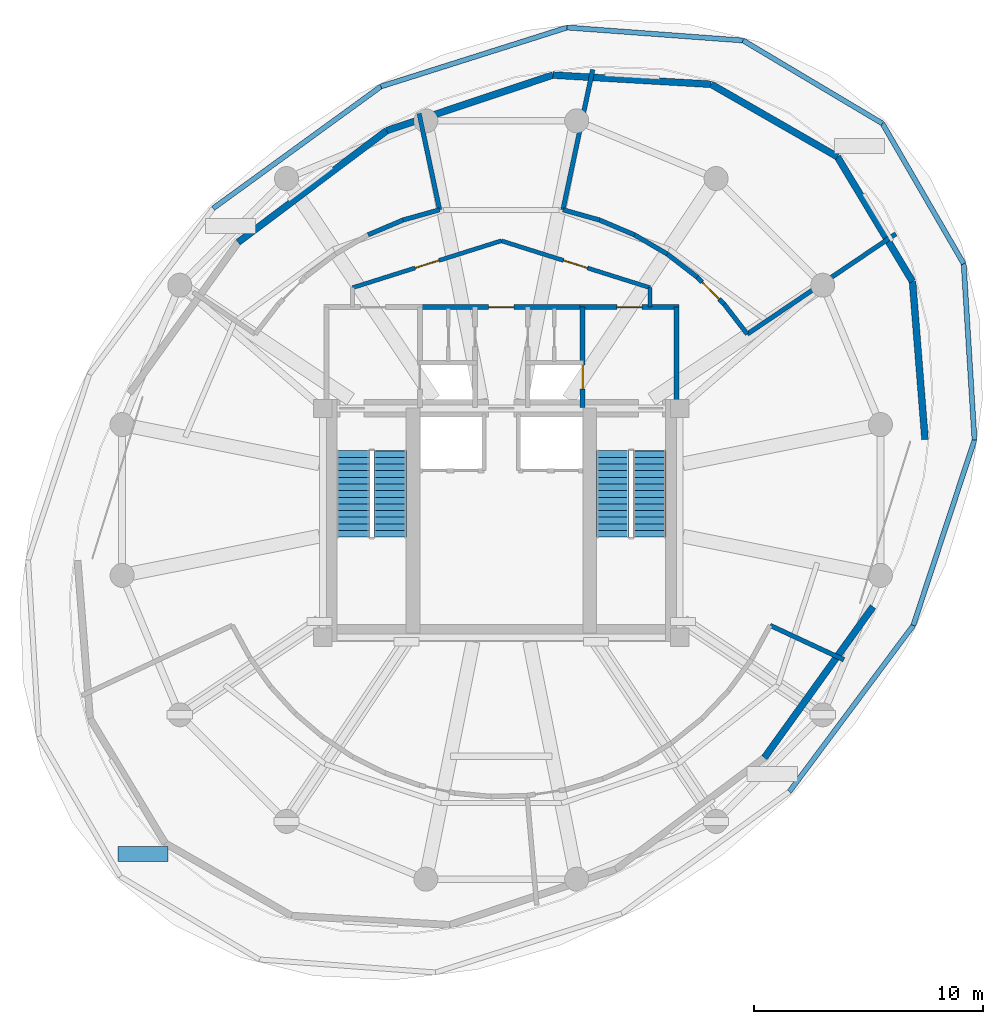
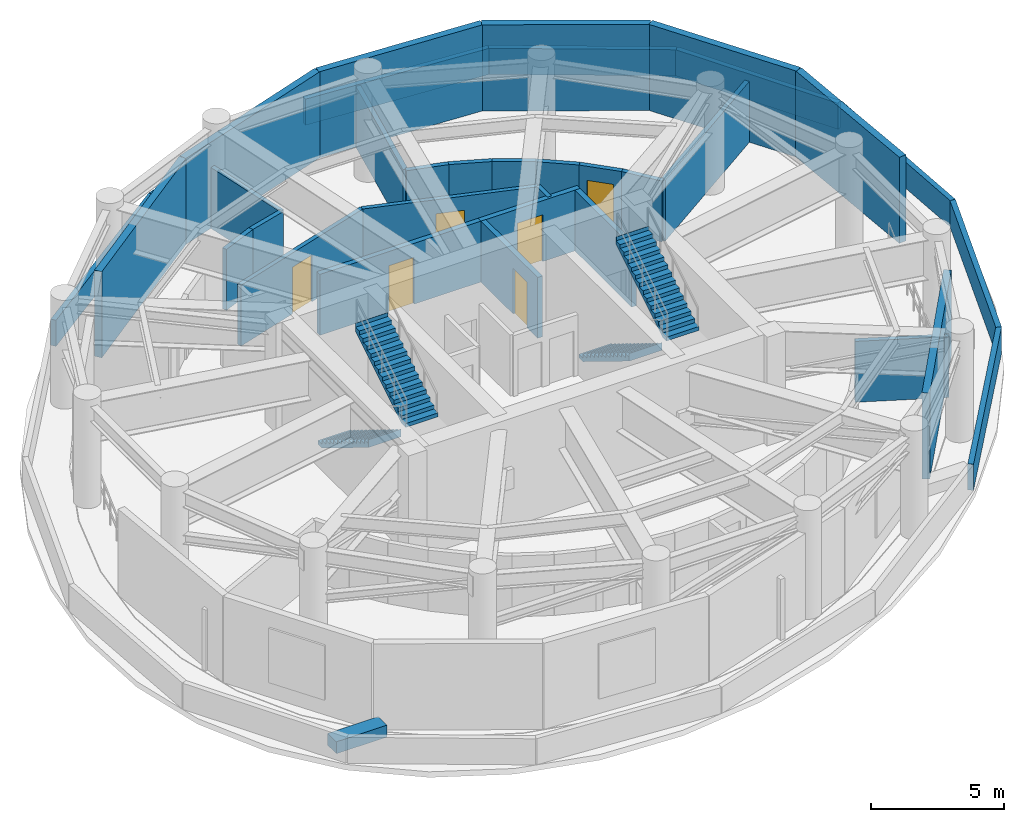
# One storey, part 4 of 6: 34 walls, 6 doors, 4 stair flights, 1 discrete accessory, 6 openings, 2 elements without a shape of their own.
"""IFC4 building model written with IfcOpenShell, lengths in metres."""

from ifc_helpers import new_model, si_unit, direction, frame, frame_2d, origin, origin_2d, place, context, subcontext, project, spatial, polyline, rectangle, outline, extrude, material, layer, layer_set, type_object, element, fill, aggregate, save


model = new_model("IFC4")

# Units and contexts
model_context = context("Model", 3, precision=1e-05, world=origin(), true_north=direction((0.0, 1.0)))
body_context = subcontext(model_context, "Body", "Model", "MODEL_VIEW")
ifc_project = project(units=[si_unit("LENGTHUNIT", "METRE"), si_unit("AREAUNIT", "SQUARE_METRE"), si_unit("VOLUMEUNIT", "CUBIC_METRE"), si_unit("PLANEANGLEUNIT", "RADIAN"), si_unit("MASSUNIT", "GRAM", prefix="KILO"), si_unit("THERMODYNAMICTEMPERATUREUNIT", "KELVIN"), si_unit("POWERUNIT", "WATT")], contexts=[model_context])

# Site, building, storey
site_placement = place(None, origin())
site = spatial("IfcSite", under=ifc_project, at=site_placement, CompositionType="ELEMENT")
building_placement = place(site_placement, origin())
building = spatial("IfcBuilding", under=site, at=building_placement, Name="Ocrelia Relay Tower", CompositionType="ELEMENT")
storey_placement = place(building_placement, frame((0.0, 0.0, 220.39990234375)))
storey = spatial("IfcBuildingStorey", under=building, at=storey_placement, Name="L54", CompositionType="ELEMENT", Elevation=220.39990234375)

# Wall
ifc_material_1 = material(Name="Gypsum Fireboard Partition EI60", Category="gypsum")
ifc_layer_1 = layer(ifc_material_1, 0.179931640625, Name="Gypsum Fireboard Partition EI60")
ifc_layer_set_1 = layer_set([ifc_layer_1], Name="Gypsum Fireboard Partition EI60")
wall_type_1 = type_object("IfcWallType", Name="W-CORR-EI60-180", PredefinedType="PARTITIONING", material=ifc_layer_set_1)
wall_1_placement = place(storey_placement, frame((40.5, 35.280029296875, 0.0), z_axis=(0.0, 0.0, 1.0), x_axis=(0.0, -1.0, 0.0)))
element("IfcWall", 1, at=wall_1_placement, inside=storey, type_object=wall_type_1, Name="L54 Smoke Lobby East Return", PredefinedType="PARTITIONING", context=body_context, shape_type="SweptSolid", body=[
    extrude(rectangle(XDim=0.85009765625, YDim=0.179931640625, at=frame_2d((0.425048828125, 0.0))), origin(), (0.0, 0.0, 1.0), 2.800048828125),
])

# Wall, opening, door
wall_2_placement = place(storey_placement, frame((27.5, 35.280029296875, 0.0), z_axis=(0.0, 0.0, 1.0), x_axis=(0.953691418528, 0.300786765376, 0.0)))
wall_2 = element("IfcWall", 2, at=wall_2_placement, inside=storey, type_object=wall_type_1, Name="L54 North Smoke Lobby W Screen Wall", PredefinedType="PARTITIONING", context=body_context, shape_type="SweptSolid", body=[
    extrude(rectangle(XDim=6.815673828125, YDim=0.179931640625, at=frame_2d((3.40771484375, 0.0))), origin(), (0.0, 0.0, 1.0), 2.800048828125),
])
opening_1_placement = place(wall_2_placement, frame((2.85791015625, 0.0, 0.0)))
opening_1 = element("IfcOpeningElement", 3, at=opening_1_placement, cuts=wall_2, Name="Opening D-FD60", PredefinedType="OPENING", context=body_context, shape_type="SweptSolid", body=[
    extrude(rectangle(XDim=1.10009765625, YDim=2.14990234375, at=frame_2d((0.550048828125, 1.074951171875))), frame((0.0, 0.10009765625, 0.0), z_axis=(0.0, -1.0, 0.0), x_axis=(1.0, 0.0, 0.0)), (0.0, 0.0, 1.0), 0.199951171875),
])
ifc_material_2 = material(Name="Timber-core 60-min acoustic fire door", Category="wood")
door_type_1 = type_object("IfcDoorType", Name="DR-LOBBY-FD60-1100", OperationType="NOTDEFINED", PredefinedType="DOOR", material=ifc_material_2)
door_1_placement = place(opening_1_placement, origin())
door_1 = element("IfcDoor", 4, at=door_1_placement, inside=storey, type_object=door_type_1, Name="L54 North Smoke Lobby W Fire Door", OperationType="SINGLE_SWING_RIGHT", OverallHeight=2.14990234375, OverallWidth=1.10009765625, PredefinedType="DOOR", context=body_context, shape_type="SweptSolid", body=[
    extrude(rectangle(XDim=1.10009765625, YDim=2.14990234375, at=frame_2d((0.550048828125, 1.074951171875))), frame((0.0, 0.02490234375, 0.0), z_axis=(0.0, -1.0, 0.0), x_axis=(1.0, 0.0, 0.0)), (0.0, 0.0, 1.0), 0.050048828125),
])
fill(opening_1, door_1)

wall_3_placement = place(storey_placement, frame((34.0, 37.330078125, 0.0), z_axis=(0.0, 0.0, 1.0), x_axis=(0.953691418528, -0.300786765376, 0.0)))
wall_3 = element("IfcWall", 5, at=wall_3_placement, inside=storey, type_object=wall_type_1, Name="L54 North Smoke Lobby E Screen Wall", PredefinedType="PARTITIONING", context=body_context, shape_type="SweptSolid", body=[
    extrude(rectangle(XDim=6.815673828125, YDim=0.179931640625, at=frame_2d((3.40771484375, 0.0))), origin(), (0.0, 0.0, 1.0), 2.800048828125),
])
opening_2_placement = place(wall_3_placement, frame((2.85791015625, 0.0, 0.0)))
opening_2 = element("IfcOpeningElement", 6, at=opening_2_placement, cuts=wall_3, Name="Opening D-FD60", PredefinedType="OPENING", context=body_context, shape_type="SweptSolid", body=[
    extrude(rectangle(XDim=1.10009765625, YDim=2.14990234375, at=frame_2d((0.550048828125, 1.074951171875))), frame((0.0, 0.10009765625, 0.0), z_axis=(0.0, -1.0, 0.0), x_axis=(1.0, 0.0, 0.0)), (0.0, 0.0, 1.0), 0.199951171875),
])
door_2_placement = place(opening_2_placement, origin())
door_2 = element("IfcDoor", 7, at=door_2_placement, inside=storey, type_object=door_type_1, Name="L54 North Smoke Lobby E Fire Door", OperationType="SINGLE_SWING_LEFT", OverallHeight=2.14990234375, OverallWidth=1.10009765625, PredefinedType="DOOR", context=body_context, shape_type="SweptSolid", body=[
    extrude(rectangle(XDim=1.10009765625, YDim=2.14990234375, at=frame_2d((0.550048828125, 1.074951171875))), frame((0.0, 0.02490234375, 0.0), z_axis=(0.0, -1.0, 0.0), x_axis=(1.0, 0.0, 0.0)), (0.0, 0.0, 1.0), 0.050048828125),
])
fill(opening_2, door_2)

# Walls
ifc_material_3 = material(Name="Precast concrete C40/50 with oxide terracotta", Category="masonry")
ifc_layer_2 = layer(ifc_material_3, 0.300048828125, Name="Precast concrete C40/50 with oxide terracotta")
ifc_layer_set_2 = layer_set([ifc_layer_2], Name="Precast concrete C40/50 with oxide terracotta")
wall_type_2 = type_object("IfcWallType", Name="W-EXT-TERR-300", PredefinedType="SOLIDWALL", material=ifc_layer_set_2)
wall_4_placement = place(storey_placement, frame((48.69287109375, 41.00390625, 0.0), z_axis=(0.0, 0.0, 1.0), x_axis=(-0.867276097865, 0.497827450099, 0.0)))
element("IfcWall", 8, at=wall_4_placement, inside=storey, type_object=wall_type_2, Name="L54 Plant Terracotta Wall 01", PredefinedType="SOLIDWALL", context=body_context, shape_type="SweptSolid", body=[
    extrude(rectangle(XDim=6.364990234375, YDim=0.300048828125, at=frame_2d((3.1826171875, 0.0))), origin(), (0.0, 0.0, 1.0), 3.960205078125),
])
wall_5_placement = place(storey_placement, frame((43.172607421875, 44.172607421875, 0.0), z_axis=(0.0, 0.0, 1.0), x_axis=(-0.998314597189, 0.058034171311, 0.0)))
element("IfcWall", 9, at=wall_5_placement, inside=storey, type_object=wall_type_2, Name="L54 Plant Terracotta Wall 02", PredefinedType="SOLIDWALL", context=body_context, shape_type="SweptSolid", body=[
    extrude(rectangle(XDim=6.9287109375, YDim=0.300048828125, at=frame_2d((3.46435546875, 0.0))), origin(), (0.0, 0.0, 1.0), 3.960205078125),
])
wall_6_placement = place(storey_placement, frame((36.255615234375, 44.57470703125, 0.0), z_axis=(0.0, 0.0, 1.0), x_axis=(-0.948459804555, -0.316897458405, 0.0)))
element("IfcWall", 10, at=wall_6_placement, inside=storey, type_object=wall_type_2, Name="L54 Plant Terracotta Wall 03", PredefinedType="SOLIDWALL", context=body_context, shape_type="SweptSolid", body=[
    extrude(rectangle(XDim=7.65478515625, YDim=0.300048828125, at=frame_2d((3.827392578125, 0.0))), origin(), (0.0, 0.0, 1.0), 3.960205078125),
])
wall_7_placement = place(storey_placement, frame((28.995361328125, 42.14892578125, 0.0), z_axis=(0.0, 0.0, 1.0), x_axis=(-0.799376092576, -0.600830976747, 0.0)))
element("IfcWall", 11, at=wall_7_placement, inside=storey, type_object=wall_type_2, Name="L54 Plant Terracotta Wall 04", PredefinedType="SOLIDWALL", context=body_context, shape_type="SweptSolid", body=[
    extrude(rectangle(XDim=8.129150390625, YDim=0.300048828125, at=frame_2d((4.064453125, 0.0))), origin(), (0.0, 0.0, 1.0), 3.960205078125),
])
wall_8_placement = place(storey_placement, frame((45.5029296875, 14.7353515625, 0.0), z_axis=(0.0, 0.0, 1.0), x_axis=(0.583942321483, 0.811795149764, 0.0)))
element("IfcWall", 12, at=wall_8_placement, inside=storey, type_object=wall_type_2, Name="L54 Plant Terracotta Wall 13", PredefinedType="SOLIDWALL", context=body_context, shape_type="SweptSolid", body=[
    extrude(rectangle(XDim=8.12939453125, YDim=0.300048828125, at=frame_2d((4.064697265625, 0.0))), origin(), (0.0, 0.0, 1.0), 3.960205078125),
])
wall_9_placement = place(storey_placement, frame((52.523193359375, 28.64404296875, 0.0), z_axis=(0.0, 0.0, 1.0), x_axis=(-0.078895085656, 0.99688292465, 0.0)))
element("IfcWall", 13, at=wall_9_placement, inside=storey, type_object=wall_type_2, Name="L54 Plant Terracotta Wall 15", PredefinedType="SOLIDWALL", context=body_context, shape_type="SweptSolid", body=[
    extrude(rectangle(XDim=6.928466796875, YDim=0.300048828125, at=frame_2d((3.46435546875, 0.0))), origin(), (0.0, 0.0, 1.0), 3.960205078125),
])
wall_10_placement = place(storey_placement, frame((51.9765625, 35.551025390625, 0.0), z_axis=(0.0, 0.0, 1.0), x_axis=(-0.515877001429, 0.856662663711, 0.0)))
element("IfcWall", 14, at=wall_10_placement, inside=storey, type_object=wall_type_2, Name="L54 Plant Terracotta Wall 16", PredefinedType="SOLIDWALL", context=body_context, shape_type="SweptSolid", body=[
    extrude(rectangle(XDim=6.365234375, YDim=0.300048828125, at=frame_2d((3.1826171875, 0.0))), origin(), (0.0, 0.0, 1.0), 3.960205078125),
])

# Wall, opening, door
ifc_material_4 = material(Name="Concrete C50/60", Category="concrete")
ifc_layer_3 = layer(ifc_material_4, 0.219970703125, Name="Concrete C50/60")
ifc_layer_set_3 = layer_set([ifc_layer_3], Name="Concrete C50/60")
wall_type_3 = type_object("IfcWallType", Name="W-FFL-EI120-220", PredefinedType="SOLIDWALL", material=ifc_layer_set_3)
wall_11_placement = place(storey_placement, frame((37.56005859375, 30.050048828125, 0.0), z_axis=(0.0, 0.0, 1.0), x_axis=(0.0, 1.0, 0.0)))
wall_11 = element("IfcWall", 15, at=wall_11_placement, inside=storey, type_object=wall_type_3, Name="L54 E Fire Service Lift Lobby West Wall", PredefinedType="SOLIDWALL", context=body_context, shape_type="SweptSolid", body=[
    extrude(rectangle(XDim=4.3798828125, YDim=0.219970703125, at=frame_2d((2.18994140625, 0.0))), origin(), (0.0, 0.0, 1.0), 2.800048828125),
])
opening_3_placement = place(wall_11_placement, frame((0.800048828125, 0.0, 0.0)))
opening_3 = element("IfcOpeningElement", 16, at=opening_3_placement, cuts=wall_11, Name="Opening LD-FFL2", PredefinedType="OPENING", context=body_context, shape_type="SweptSolid", body=[
    extrude(rectangle(XDim=1.050048828125, YDim=2.10009765625, at=frame_2d((0.52490234375, 1.050048828125))), frame((0.0, 0.1201171875, 0.0), z_axis=(0.0, -1.0, 0.0), x_axis=(1.0, 0.0, 0.0)), (0.0, 0.0, 1.0), 0.239990234375),
])
ifc_material_5 = material(Name="Brushed stainless steel S355 lift landing door", Category="steel")
door_type_2 = type_object("IfcDoorType", Name="DR-LIFT-LAND-1050", OperationType="DOUBLE_DOOR_SLIDING", PredefinedType="USERDEFINED", material=ifc_material_5)
door_3_placement = place(opening_3_placement, origin())
door_3 = element("IfcDoor", 17, at=door_3_placement, inside=storey, type_object=door_type_2, Name="L54 Firefighting Lift FFL2 Sliding Landing Door", ObjectType="LANDING DOOR", OperationType="DOUBLE_DOOR_SLIDING", OverallHeight=2.10009765625, OverallWidth=1.050048828125, PredefinedType="USERDEFINED", context=body_context, shape_type="SweptSolid", body=[
    extrude(rectangle(XDim=1.050048828125, YDim=2.10009765625, at=frame_2d((0.52490234375, 1.050048828125))), frame((0.0, 0.02490234375, 0.0), z_axis=(0.0, -1.0, 0.0), x_axis=(1.0, 0.0, 0.0)), (0.0, 0.0, 1.0), 0.050048828125),
])
fill(opening_3, door_3)

# Wall
wall_12_placement = place(storey_placement, frame((41.64990234375, 30.050048828125, 0.0), z_axis=(0.0, 0.0, 1.0), x_axis=(0.0, 1.0, 0.0)))
element("IfcWall", 18, at=wall_12_placement, inside=storey, type_object=wall_type_3, Name="L54 E Fire Service Lift Lobby East Wall", PredefinedType="SOLIDWALL", context=body_context, shape_type="SweptSolid", body=[
    extrude(rectangle(XDim=4.3798828125, YDim=0.219970703125, at=frame_2d((2.18994140625, 0.0))), origin(), (0.0, 0.0, 1.0), 2.800048828125),
])

# Wall, opening, door
wall_13_placement = place(storey_placement, frame((37.449951171875, 34.429931640625, 0.0), z_axis=(0.0, 0.0, 1.0), x_axis=(1.0, 0.0, 0.0)))
wall_13 = element("IfcWall", 19, at=wall_13_placement, inside=storey, type_object=wall_type_3, Name="L54 E Fire Service Lift Lobby North Wall", PredefinedType="SOLIDWALL", context=body_context, shape_type="SweptSolid", body=[
    extrude(rectangle(XDim=4.31005859375, YDim=0.219970703125, at=frame_2d((2.155029296875, 0.0))), origin(), (0.0, 0.0, 1.0), 2.800048828125),
])
opening_4_placement = place(wall_13_placement, frame((1.60009765625, 0.0, 0.0)))
opening_4 = element("IfcOpeningElement", 20, at=opening_4_placement, cuts=wall_13, Name="Opening D-FD60", PredefinedType="OPENING", context=body_context, shape_type="SweptSolid", body=[
    extrude(rectangle(XDim=1.10009765625, YDim=2.14990234375, at=frame_2d((0.550048828125, 1.074951171875))), frame((0.0, 0.1201171875, 0.0), z_axis=(0.0, -1.0, 0.0), x_axis=(1.0, 0.0, 0.0)), (0.0, 0.0, 1.0), 0.239990234375),
])
door_4_placement = place(opening_4_placement, origin())
door_4 = element("IfcDoor", 21, at=door_4_placement, inside=storey, type_object=door_type_1, Name="L54 E Fire Service Lift Lobby Exit Door", OperationType="SINGLE_SWING_LEFT", OverallHeight=2.14990234375, OverallWidth=1.10009765625, PredefinedType="DOOR", context=body_context, shape_type="SweptSolid", body=[
    extrude(rectangle(XDim=1.10009765625, YDim=2.14990234375, at=frame_2d((0.550048828125, 1.074951171875))), frame((0.0, 0.02490234375, 0.0), z_axis=(0.0, -1.0, 0.0), x_axis=(1.0, 0.0, 0.0)), (0.0, 0.0, 1.0), 0.050048828125),
])
fill(opening_4, door_4)

wall_14_placement = place(storey_placement, frame((30.43994140625, 34.429931640625, 0.0), z_axis=(0.0, 0.0, 1.0), x_axis=(1.0, 0.0, 0.0)))
wall_14 = element("IfcWall", 22, at=wall_14_placement, inside=storey, type_object=wall_type_3, Name="L54 North Core Vestibule Wall", PredefinedType="SOLIDWALL", context=body_context, shape_type="SweptSolid", body=[
    extrude(rectangle(XDim=7.1201171875, YDim=0.219970703125, at=frame_2d((3.56005859375, 0.0))), origin(), (0.0, 0.0, 1.0), 2.800048828125),
])
opening_5_placement = place(wall_14_placement, frame((3.010009765625, 0.0, 0.0)))
opening_5 = element("IfcOpeningElement", 23, at=opening_5_placement, cuts=wall_14, Name="Opening D-FD60", PredefinedType="OPENING", context=body_context, shape_type="SweptSolid", body=[
    extrude(rectangle(XDim=1.10009765625, YDim=2.14990234375, at=frame_2d((0.550048828125, 1.074951171875))), frame((0.0, 0.1201171875, 0.0), z_axis=(0.0, -1.0, 0.0), x_axis=(1.0, 0.0, 0.0)), (0.0, 0.0, 1.0), 0.239990234375),
])
door_5_placement = place(opening_5_placement, origin())
door_5 = element("IfcDoor", 24, at=door_5_placement, inside=storey, type_object=door_type_1, Name="L54 North Core Vestibule Corridor Door", OperationType="SINGLE_SWING_LEFT", OverallHeight=2.14990234375, OverallWidth=1.10009765625, PredefinedType="DOOR", context=body_context, shape_type="SweptSolid", body=[
    extrude(rectangle(XDim=1.10009765625, YDim=2.14990234375, at=frame_2d((0.550048828125, 1.074951171875))), frame((0.0, 0.02490234375, 0.0), z_axis=(0.0, -1.0, 0.0), x_axis=(1.0, 0.0, 0.0)), (0.0, 0.0, 1.0), 0.050048828125),
])
fill(opening_5, door_5)

# Walls
ifc_layer_4 = layer(ifc_material_3, 0.219970703125, Name="Precast concrete C40/50 with oxide terracotta")
ifc_layer_set_4 = layer_set([ifc_layer_4], Name="Precast concrete C40/50 with oxide terracotta")
wall_type_4 = type_object("IfcWallType", Name="W-PARAPET-220", PredefinedType="PARAPET", material=ifc_layer_set_4)
wall_15_placement = place(storey_placement, frame((50.661376953125, 42.458984375, 0.0), z_axis=(0.0, 0.0, 1.0), x_axis=(-0.859169548372, 0.511691007494, 0.0)))
element("IfcWall", 25, at=wall_15_placement, inside=storey, type_object=wall_type_4, Name="L54 Setback Green Roof Parapet 01", PredefinedType="PARAPET", context=body_context, shape_type="SweptSolid", body=[
    extrude(rectangle(XDim=7.085693359375, YDim=0.219970703125, at=frame_2d((3.54296875, 0.0))), origin(), (0.0, 0.0, 1.0), 1.2001953125),
])
wall_16_placement = place(storey_placement, frame((44.573486328125, 46.084716796875, 0.0), z_axis=(0.0, 0.0, 1.0), x_axis=(-0.997287311247, 0.073607192758, 0.0)))
element("IfcWall", 26, at=wall_16_placement, inside=storey, type_object=wall_type_4, Name="L54 Setback Green Roof Parapet 02", PredefinedType="PARAPET", context=body_context, shape_type="SweptSolid", body=[
    extrude(rectangle(XDim=7.71826171875, YDim=0.219970703125, at=frame_2d((3.859130859375, 0.0))), origin(), (0.0, 0.0, 1.0), 1.2001953125),
])
wall_17_placement = place(storey_placement, frame((36.876220703125, 46.65283203125, 0.0), z_axis=(0.0, 0.0, 1.0), x_axis=(-0.953341950879, -0.301892571445, 0.0)))
element("IfcWall", 27, at=wall_17_placement, inside=storey, type_object=wall_type_4, Name="L54 Setback Green Roof Parapet 03", PredefinedType="PARAPET", context=body_context, shape_type="SweptSolid", body=[
    extrude(rectangle(XDim=8.533447265625, YDim=0.219970703125, at=frame_2d((4.2666015625, 0.0))), origin(), (0.0, 0.0, 1.0), 1.2001953125),
])
for number, where, z_axis, x_axis, name in (
    (28, (28.740966796875, 44.07666015625, 0.0), (0.0, 0.0, 1.0), (-0.809062033005, -0.587723256942, 0.0), "L54 Setback Green Roof Parapet 04"),
    (29, (46.59375, 13.25146484375, 0.0), (0.0, 0.0, 1.0), (0.597558395946, 0.801825394605, 0.0), "L54 Setback Green Roof Parapet 13"),
):
    element("IfcWall", number, at=place(storey_placement, frame(where, z_axis=z_axis, x_axis=x_axis)), inside=storey, type_object=wall_type_4, Name=name, PredefinedType="PARAPET", context=body_context, shape_type="SweptSolid", body=[
        extrude(rectangle(XDim=9.065673828125, YDim=0.219970703125, at=frame_2d((4.53271484375, 0.0))), origin(), (0.0, 0.0, 1.0), 1.2001953125),
    ])
wall_18_placement = place(storey_placement, frame((52.010986328125, 20.5205078125, 0.0), z_axis=(0.0, 0.0, 1.0), x_axis=(0.313505677945, 0.949586325668, 0.0)))
element("IfcWall", 30, at=wall_18_placement, inside=storey, type_object=wall_type_4, Name="L54 Setback Green Roof Parapet 14", PredefinedType="PARAPET", context=body_context, shape_type="SweptSolid", body=[
    extrude(rectangle(XDim=8.533447265625, YDim=0.219970703125, at=frame_2d((4.2666015625, 0.0))), origin(), (0.0, 0.0, 1.0), 1.2001953125),
])
wall_19_placement = place(storey_placement, frame((54.686279296875, 28.623779296875, 0.0), z_axis=(0.0, 0.0, 1.0), x_axis=(-0.061397543648, 0.998113391171, 0.0)))
element("IfcWall", 31, at=wall_19_placement, inside=storey, type_object=wall_type_4, Name="L54 Setback Green Roof Parapet 15", PredefinedType="PARAPET", context=body_context, shape_type="SweptSolid", body=[
    extrude(rectangle(XDim=7.71826171875, YDim=0.219970703125, at=frame_2d((3.859130859375, 0.0))), origin(), (0.0, 0.0, 1.0), 1.2001953125),
])
wall_20_placement = place(storey_placement, frame((54.21240234375, 36.327392578125, 0.0), z_axis=(0.0, 0.0, 1.0), x_axis=(-0.50115850473, 0.865355506793, 0.0)))
element("IfcWall", 32, at=wall_20_placement, inside=storey, type_object=wall_type_4, Name="L54 Setback Green Roof Parapet 16", PredefinedType="PARAPET", context=body_context, shape_type="SweptSolid", body=[
    extrude(rectangle(XDim=7.085693359375, YDim=0.219970703125, at=frame_2d((3.54296875, 0.0))), origin(), (0.0, 0.0, 1.0), 1.2001953125),
])
ifc_layer_5 = layer(ifc_material_4, 0.199951171875, Name="Concrete C50/60")
ifc_layer_set_5 = layer_set([ifc_layer_5], Name="Concrete C50/60")
wall_type_5 = type_object("IfcWallType", Name="W-SHAFT-EI120-200", PredefinedType="SOLIDWALL", material=ifc_layer_set_5)
wall_21_placement = place(storey_placement, frame((28.17919921875, 37.59033203125, 0.0), z_axis=(0.0, 0.0, 1.0), x_axis=(0.920487144923, 0.390772844543, 0.0)))
element("IfcWall", 33, at=wall_21_placement, inside=storey, type_object=wall_type_5, Name="L54 West Area of Refuge Inner Wall 11", PredefinedType="SOLIDWALL", context=body_context, shape_type="SweptSolid", body=[
    extrude(rectangle(XDim=1.65869140625, YDim=0.199951171875, at=frame_2d((0.829345703125, 0.0))), origin(), (0.0, 0.0, 1.0), 2.800048828125),
])
wall_22_placement = place(storey_placement, frame((29.7060546875, 38.238525390625, 0.0), z_axis=(0.0, 0.0, 1.0), x_axis=(0.962850837775, 0.270033820467, 0.0)))
element("IfcWall", 34, at=wall_22_placement, inside=storey, type_object=wall_type_5, Name="L54 West Area of Refuge Inner Wall 12", PredefinedType="SOLIDWALL", context=body_context, shape_type="SweptSolid", body=[
    extrude(rectangle(XDim=1.658935546875, YDim=0.199951171875, at=frame_2d((0.82958984375, 0.0))), origin(), (0.0, 0.0, 1.0), 2.800048828125),
])
wall_23_placement = place(storey_placement, frame((31.303466796875, 38.6865234375, 0.0), z_axis=(0.0, 0.0, 1.0), x_axis=(-0.207910291146, 0.978147898242, 0.0)))
element("IfcWall", 35, at=wall_23_placement, inside=storey, type_object=wall_type_5, Name="L54 West Area of Refuge Radial Wall R0", PredefinedType="SOLIDWALL", context=body_context, shape_type="SweptSolid", body=[
    extrude(rectangle(XDim=4.305908203125, YDim=0.199951171875, at=frame_2d((2.15283203125, 0.0))), origin(), (0.0, 0.0, 1.0), 2.800048828125),
])
wall_24_placement = place(storey_placement, frame((36.696533203125, 38.6865234375, 0.0), z_axis=(0.0, 0.0, 1.0), x_axis=(0.962850837775, -0.270033820467, 0.0)))
element("IfcWall", 36, at=wall_24_placement, inside=storey, type_object=wall_type_5, Name="L54 East Area of Refuge Inner Wall 7", PredefinedType="SOLIDWALL", context=body_context, shape_type="SweptSolid", body=[
    extrude(rectangle(XDim=1.658935546875, YDim=0.199951171875, at=frame_2d((0.82958984375, 0.0))), origin(), (0.0, 0.0, 1.0), 2.800048828125),
])
wall_25_placement = place(storey_placement, frame((38.2939453125, 38.238525390625, 0.0), z_axis=(0.0, 0.0, 1.0), x_axis=(0.920487144923, -0.390772844543, 0.0)))
element("IfcWall", 37, at=wall_25_placement, inside=storey, type_object=wall_type_5, Name="L54 East Area of Refuge Inner Wall 8", PredefinedType="SOLIDWALL", context=body_context, shape_type="SweptSolid", body=[
    extrude(rectangle(XDim=1.65869140625, YDim=0.199951171875, at=frame_2d((0.829345703125, 0.0))), origin(), (0.0, 0.0, 1.0), 2.800048828125),
])
for number, where, z_axis, x_axis, name in (
    (38, (39.82080078125, 37.59033203125, 0.0), (0.0, 0.0, 1.0), (0.863153716887, -0.504941245122, 0.0), "L54 East Area of Refuge Inner Wall 9"),
    (39, (41.252685546875, 36.752685546875, 0.0), (0.0, 0.0, 1.0), (0.791605306962, -0.611032763433, 0.0), "L54 East Area of Refuge Inner Wall 10"),
):
    element("IfcWall", number, at=place(storey_placement, frame(where, z_axis=z_axis, x_axis=x_axis)), inside=storey, type_object=wall_type_5, Name=name, PredefinedType="SOLIDWALL", context=body_context, shape_type="SweptSolid", body=[
        extrude(rectangle(XDim=1.658935546875, YDim=0.199951171875, at=frame_2d((0.82958984375, 0.0))), origin(), (0.0, 0.0, 1.0), 2.800048828125),
    ])

# Wall, opening, door
wall_26_placement = place(storey_placement, frame((42.56591796875, 35.739013671875, 0.0), z_axis=(0.0, 0.0, 1.0), x_axis=(0.707106781187, -0.707106781187, 0.0)))
wall_26 = element("IfcWall", 40, at=wall_26_placement, inside=storey, type_object=wall_type_5, Name="L54 East Area of Refuge Inner Wall 11", PredefinedType="SOLIDWALL", context=body_context, shape_type="SweptSolid", body=[
    extrude(rectangle(XDim=1.658935546875, YDim=0.199951171875, at=frame_2d((0.82958984375, 0.0))), origin(), (0.0, 0.0, 1.0), 2.800048828125),
])
opening_6_placement = place(wall_26_placement, frame((0.304443359375, 0.0, 0.0)))
opening_6 = element("IfcOpeningElement", 41, at=opening_6_placement, cuts=wall_26, Name="Opening D-FD90", PredefinedType="OPENING", context=body_context, shape_type="SweptSolid", body=[
    extrude(rectangle(XDim=1.050048828125, YDim=2.14990234375, at=frame_2d((0.52490234375, 1.074951171875))), frame((0.0, 0.10986328125, 0.0), z_axis=(0.0, -1.0, 0.0), x_axis=(1.0, 0.0, 0.0)), (0.0, 0.0, 1.0), 0.219970703125),
])
ifc_material_6 = material(Name="Steel S355 90-min fire door", Category="steel")
door_type_3 = type_object("IfcDoorType", Name="DR-STAIR-FD90-1050", OperationType="NOTDEFINED", PredefinedType="DOOR", material=ifc_material_6)
door_6_placement = place(opening_6_placement, origin())
door_6 = element("IfcDoor", 42, at=door_6_placement, inside=storey, type_object=door_type_3, Name="L54 East Area of Refuge Fire Door", OperationType="SINGLE_SWING_LEFT", OverallHeight=2.14990234375, OverallWidth=1.050048828125, PredefinedType="DOOR", context=body_context, shape_type="SweptSolid", body=[
    extrude(rectangle(XDim=1.050048828125, YDim=2.14990234375, at=frame_2d((0.52490234375, 1.074951171875))), frame((0.0, 0.02490234375, 0.0), z_axis=(0.0, -1.0, 0.0), x_axis=(1.0, 0.0, 0.0)), (0.0, 0.0, 1.0), 0.050048828125),
])
fill(opening_6, door_6)

# Walls
wall_27_placement = place(storey_placement, frame((43.739013671875, 34.56591796875, 0.0), z_axis=(0.0, 0.0, 1.0), x_axis=(0.611032763433, -0.791605306962, 0.0)))
element("IfcWall", 43, at=wall_27_placement, inside=storey, type_object=wall_type_5, Name="L54 East Area of Refuge Inner Wall 12", PredefinedType="SOLIDWALL", context=body_context, shape_type="SweptSolid", body=[
    extrude(rectangle(XDim=1.658935546875, YDim=0.199951171875, at=frame_2d((0.82958984375, 0.0))), origin(), (0.0, 0.0, 1.0), 2.800048828125),
])
wall_28_placement = place(storey_placement, frame((44.752685546875, 33.252685546875, 0.0), z_axis=(0.0, 0.0, 1.0), x_axis=(0.829027106194, 0.559208420177, 0.0)))
element("IfcWall", 44, at=wall_28_placement, inside=storey, type_object=wall_type_5, Name="L54 East Area of Refuge Radial Wall R0", PredefinedType="SOLIDWALL", context=body_context, shape_type="SweptSolid", body=[
    extrude(rectangle(XDim=7.833984375, YDim=0.199951171875, at=frame_2d((3.9169921875, 0.0))), origin(), (0.0, 0.0, 1.0), 2.800048828125),
])
wall_29_placement = place(storey_placement, frame((36.696533203125, 38.6865234375, 0.0), z_axis=(0.0, 0.0, 1.0), x_axis=(0.207899777226, 0.97815013297, 0.0)))
element("IfcWall", 45, at=wall_29_placement, inside=storey, type_object=wall_type_5, Name="L54 East Area of Refuge Radial Wall R1", PredefinedType="SOLIDWALL", context=body_context, shape_type="SweptSolid", body=[
    extrude(rectangle(XDim=6.263916015625, YDim=0.199951171875, at=frame_2d((3.1318359375, 0.0))), origin(), (0.0, 0.0, 1.0), 2.800048828125),
])
wall_30_placement = place(storey_placement, frame((45.7548828125, 20.5185546875, 0.0), z_axis=(0.0, 0.0, 1.0), x_axis=(0.906307706365, -0.422618434742, 0.0)))
element("IfcWall", 46, at=wall_30_placement, inside=storey, type_object=wall_type_5, Name="L54 High-Altitude Air Handling Plant Room Radial Wall R1", PredefinedType="SOLIDWALL", context=body_context, shape_type="SweptSolid", body=[
    extrude(rectangle(XDim=3.553955078125, YDim=0.199951171875, at=frame_2d((1.77685546875, 0.0))), origin(), (0.0, 0.0, 1.0), 2.800048828125),
])

# Stair, stair flights
stair_type = type_object("IfcStairType", Name="ST-DL-1420-R179", PredefinedType="HALF_TURN_STAIR", material=ifc_material_4)
stair_1_placement = place(storey_placement, origin())
stair_1 = element("IfcStair", 47, at=stair_1_placement, inside=storey, type_object=stair_type, Name="L54 West Core Exit Stair ST1", PredefinedType="HALF_TURN_STAIR")
stair_flight_type = type_object("IfcStairFlightType", Name="STF-DL-1420-R179", PredefinedType="STRAIGHT", material=ifc_material_4)
stair_flight_1_placement = place(storey_placement, frame((27.52001953125, 28.14990234375, 0.0), z_axis=(0.0, 0.0, 1.0), x_axis=(0.0, -1.0, 0.0)))
stair_flight_1 = element("IfcStairFlight", 48, at=stair_flight_1_placement, type_object=stair_flight_type, Name="ST1 flight 1", NumberOfRisers=14, NumberOfTreads=13, PredefinedType="STRAIGHT", RiserHeight=0.178571429, TreadLength=0.29, context=body_context, shape_type="SweptSolid", body=[
    extrude(outline(polyline([(-0.008056640625, 0.0), (-0.008056640625, 0.178466796875), (0.0, 0.178466796875), (0.2900390625, 0.178466796875), (0.2900390625, 0.357177734375), (0.580078125, 0.357177734375), (0.580078125, 0.53564453125), (0.8701171875, 0.53564453125), (0.8701171875, 0.71435546875), (1.159912109375, 0.71435546875), (1.159912109375, 0.892822265625), (1.449951171875, 0.892822265625), (1.449951171875, 1.071533203125), (1.739990234375, 1.071533203125), (1.739990234375, 1.25), (2.030029296875, 1.25), (2.030029296875, 1.428466796875), (2.320068359375, 1.428466796875), (2.320068359375, 1.607177734375), (2.610107421875, 1.607177734375), (2.610107421875, 1.78564453125), (2.89990234375, 1.78564453125), (2.89990234375, 1.96435546875), (3.18994140625, 1.96435546875), (3.18994140625, 2.142822265625), (3.47998046875, 2.142822265625), (3.47998046875, 2.321533203125), (3.77001953125, 2.321533203125), (3.77001953125, 2.5), (3.778076171875, 2.5), (3.778076171875, 2.1455078125), (0.285888671875, 0.0), (-0.008056640625, 0.0)])), frame((0.0, 0.7099609375, 0.0), z_axis=(0.0, -1.0, 0.0), x_axis=(1.0, 0.0, 0.0)), (0.0, 0.0, 1.0), 1.419921875),
])
stair_flight_2_placement = place(storey_placement, frame((29.139892578125, 24.3798828125, 2.5), z_axis=(0.0, 0.0, 1.0), x_axis=(0.0, 1.0, 0.0)))
stair_flight_2 = element("IfcStairFlight", 49, at=stair_flight_2_placement, type_object=stair_flight_type, Name="ST1 flight 2", NumberOfRisers=14, NumberOfTreads=13, PredefinedType="STRAIGHT", RiserHeight=0.178571429, TreadLength=0.29, context=body_context, shape_type="SweptSolid", body=[
    extrude(outline(polyline([(-0.008056640625, 0.0), (-0.008056640625, 0.178466796875), (0.0, 0.178466796875), (0.2900390625, 0.178466796875), (0.2900390625, 0.357177734375), (0.580078125, 0.357177734375), (0.580078125, 0.53564453125), (0.8701171875, 0.53564453125), (0.8701171875, 0.71435546875), (1.159912109375, 0.71435546875), (1.159912109375, 0.892822265625), (1.449951171875, 0.892822265625), (1.449951171875, 1.071533203125), (1.739990234375, 1.071533203125), (1.739990234375, 1.25), (2.030029296875, 1.25), (2.030029296875, 1.428466796875), (2.320068359375, 1.428466796875), (2.320068359375, 1.607177734375), (2.610107421875, 1.607177734375), (2.610107421875, 1.78564453125), (2.89990234375, 1.78564453125), (2.89990234375, 1.96435546875), (3.18994140625, 1.96435546875), (3.18994140625, 2.142822265625), (3.47998046875, 2.142822265625), (3.47998046875, 2.321533203125), (3.77001953125, 2.321533203125), (3.77001953125, 2.5), (3.778076171875, 2.5), (3.778076171875, 2.1455078125), (0.285888671875, 0.0), (-0.008056640625, 0.0)])), frame((0.0, 0.7099609375, 0.0), z_axis=(0.0, -1.0, 0.0), x_axis=(1.0, 0.0, 0.0)), (0.0, 0.0, 1.0), 1.419921875),
])
aggregate(stair_1, [stair_flight_1, stair_flight_2])

stair_2_placement = place(storey_placement, origin())
stair_2 = element("IfcStair", 50, at=stair_2_placement, inside=storey, type_object=stair_type, Name="L54 East Core Exit Stair ST2", PredefinedType="HALF_TURN_STAIR")
stair_flight_3_placement = place(storey_placement, frame((38.8701171875, 28.14990234375, 0.0), z_axis=(0.0, 0.0, 1.0), x_axis=(0.0, -1.0, 0.0)))
stair_flight_3 = element("IfcStairFlight", 51, at=stair_flight_3_placement, type_object=stair_flight_type, Name="ST2 flight 1", NumberOfRisers=14, NumberOfTreads=13, PredefinedType="STRAIGHT", RiserHeight=0.178571429, TreadLength=0.29, context=body_context, shape_type="SweptSolid", body=[
    extrude(outline(polyline([(-0.008056640625, 0.0), (-0.008056640625, 0.178466796875), (0.0, 0.178466796875), (0.2900390625, 0.178466796875), (0.2900390625, 0.357177734375), (0.580078125, 0.357177734375), (0.580078125, 0.53564453125), (0.8701171875, 0.53564453125), (0.8701171875, 0.71435546875), (1.159912109375, 0.71435546875), (1.159912109375, 0.892822265625), (1.449951171875, 0.892822265625), (1.449951171875, 1.071533203125), (1.739990234375, 1.071533203125), (1.739990234375, 1.25), (2.030029296875, 1.25), (2.030029296875, 1.428466796875), (2.320068359375, 1.428466796875), (2.320068359375, 1.607177734375), (2.610107421875, 1.607177734375), (2.610107421875, 1.78564453125), (2.89990234375, 1.78564453125), (2.89990234375, 1.96435546875), (3.18994140625, 1.96435546875), (3.18994140625, 2.142822265625), (3.47998046875, 2.142822265625), (3.47998046875, 2.321533203125), (3.77001953125, 2.321533203125), (3.77001953125, 2.5), (3.778076171875, 2.5), (3.778076171875, 2.1455078125), (0.285888671875, 0.0), (-0.008056640625, 0.0)])), frame((0.0, 0.7099609375, 0.0), z_axis=(0.0, -1.0, 0.0), x_axis=(1.0, 0.0, 0.0)), (0.0, 0.0, 1.0), 1.419921875),
])
stair_flight_4_placement = place(storey_placement, frame((40.489990234375, 24.3798828125, 2.5), z_axis=(0.0, 0.0, 1.0), x_axis=(0.0, 1.0, 0.0)))
stair_flight_4 = element("IfcStairFlight", 52, at=stair_flight_4_placement, type_object=stair_flight_type, Name="ST2 flight 2", NumberOfRisers=14, NumberOfTreads=13, PredefinedType="STRAIGHT", RiserHeight=0.178571429, TreadLength=0.29, context=body_context, shape_type="SweptSolid", body=[
    extrude(outline(polyline([(-0.008056640625, 0.0), (-0.008056640625, 0.178466796875), (0.0, 0.178466796875), (0.2900390625, 0.178466796875), (0.2900390625, 0.357177734375), (0.580078125, 0.357177734375), (0.580078125, 0.53564453125), (0.8701171875, 0.53564453125), (0.8701171875, 0.71435546875), (1.159912109375, 0.71435546875), (1.159912109375, 0.892822265625), (1.449951171875, 0.892822265625), (1.449951171875, 1.071533203125), (1.739990234375, 1.071533203125), (1.739990234375, 1.25), (2.030029296875, 1.25), (2.030029296875, 1.428466796875), (2.320068359375, 1.428466796875), (2.320068359375, 1.607177734375), (2.610107421875, 1.607177734375), (2.610107421875, 1.78564453125), (2.89990234375, 1.78564453125), (2.89990234375, 1.96435546875), (3.18994140625, 1.96435546875), (3.18994140625, 2.142822265625), (3.47998046875, 2.142822265625), (3.47998046875, 2.321533203125), (3.77001953125, 2.321533203125), (3.77001953125, 2.5), (3.778076171875, 2.5), (3.778076171875, 2.1455078125), (0.285888671875, 0.0), (-0.008056640625, 0.0)])), frame((0.0, 0.7099609375, 0.0), z_axis=(0.0, -1.0, 0.0), x_axis=(1.0, 0.0, 0.0)), (0.0, 0.0, 1.0), 1.419921875),
])
aggregate(stair_2, [stair_flight_3, stair_flight_4])

# Discrete accessory
ifc_material_7 = material(Name="Precast concrete C40/50 planter with highland greenery", Category="concrete")
discrete_accessory_type = type_object("IfcDiscreteAccessoryType", Name="ACC-BALC-PLANTER", PredefinedType="USERDEFINED", material=ifc_material_7)
discrete_accessory_placement = place(storey_placement, frame((18.33837890625, 10.528564453125, 0.0), z_axis=(0.0, 0.0, 1.0), x_axis=(1.0, 0.0, 0.0)))
element("IfcDiscreteAccessory", 53, at=discrete_accessory_placement, inside=storey, type_object=discrete_accessory_type, Name="L54 Setback Green Roof Planter 8", ObjectType="PLANTER", PredefinedType="USERDEFINED", context=body_context, shape_type="SweptSolid", body=[
    extrude(rectangle(XDim=2.199951171875, YDim=0.64990234375, at=origin_2d()), origin(), (0.0, 0.0, 1.0), 0.550048828125),
])

save(model, "model.ifc")
